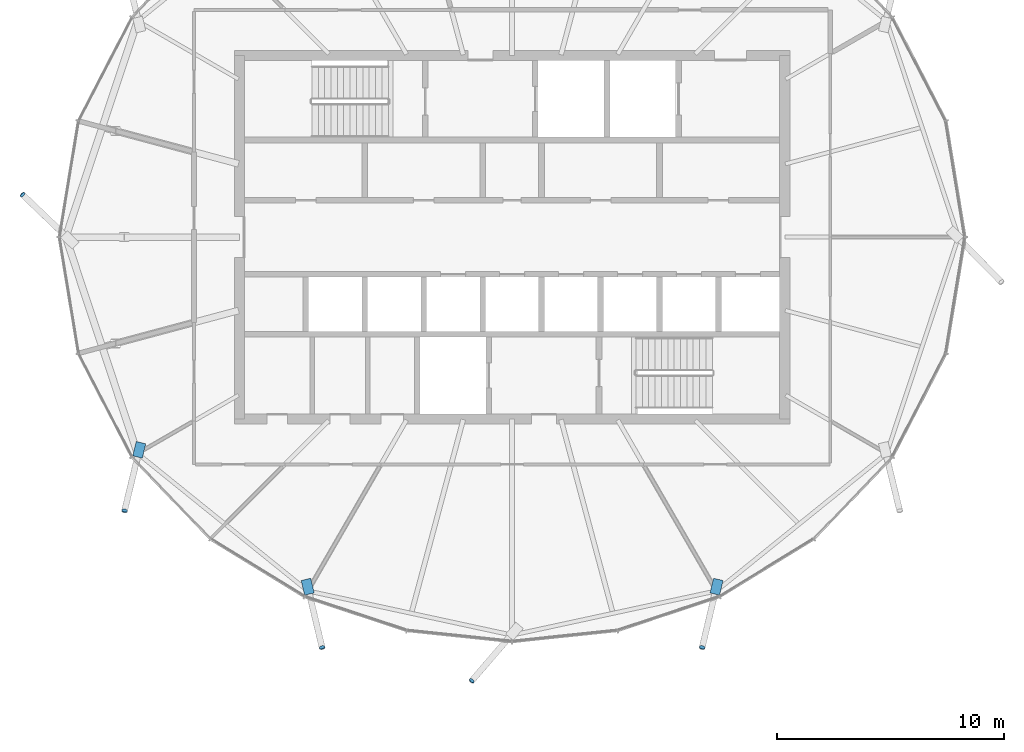
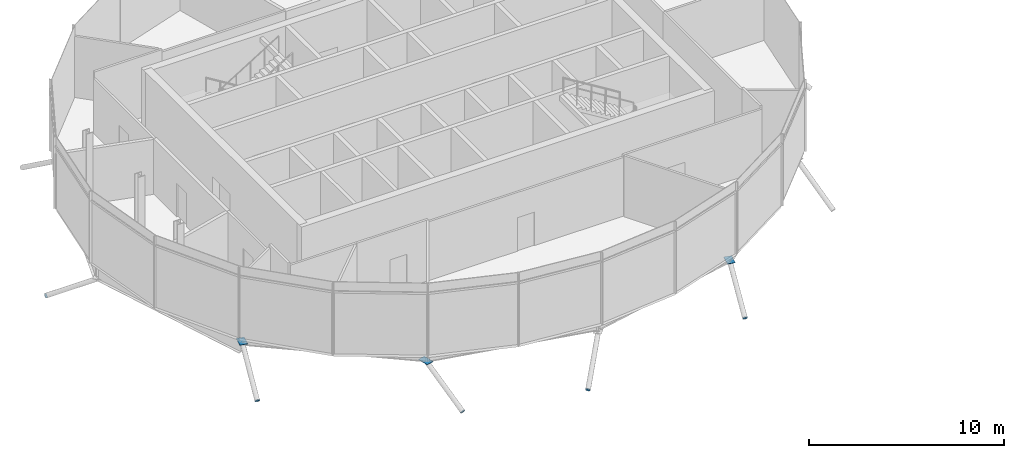
# One storey, part 22 of 31: 8 discrete accessories.
"""IFC4 building model written with IfcOpenShell, lengths in metres."""

from ifc_helpers import new_model, si_unit, direction, frame, origin, origin_2d, place, context, subcontext, project, spatial, polyline, rectangle, circle, outline, extrude, material, material_profile, profile_set, type_object, element, save


model = new_model("IFC4")

# Units and contexts
model_context = context("Model", 3, precision=1e-05, world=origin(), true_north=direction((0.0, 1.0)))
body_context = subcontext(model_context, "Body", "Model", "MODEL_VIEW")
ifc_project = project(units=[si_unit("LENGTHUNIT", "METRE"), si_unit("AREAUNIT", "SQUARE_METRE"), si_unit("VOLUMEUNIT", "CUBIC_METRE"), si_unit("PLANEANGLEUNIT", "RADIAN"), si_unit("MASSUNIT", "GRAM", prefix="KILO")], contexts=[model_context])

# Site, building, storey
site_placement = place(None, origin())
site = spatial("IfcSite", under=ifc_project, at=site_placement, CompositionType="ELEMENT")
building_placement = place(site_placement, origin())
building = spatial("IfcBuilding", under=site, at=building_placement, Name="Rimbun Link Towers", CompositionType="ELEMENT")
storey_placement = place(building_placement, frame((0.0, 0.0, 263.10009765625)))
storey = spatial("IfcBuildingStorey", under=building, at=storey_placement, Name="L64", CompositionType="ELEMENT", Elevation=263.10009765625)

# Discrete accessories
ifc_material_1 = material(Name="Steel S355J2H", Category="steel")
ifc_material_profile_1 = material_profile(ifc_material_1, circle(Radius=0.1240234375, at=origin_2d()), Name="PL D248")
ifc_profile_set_1 = profile_set([ifc_material_profile_1], Name="Steel S355J2H")
discrete_accessory_type_1 = type_object("IfcDiscreteAccessoryType", Name="Link foot sealing plate D248X20", PredefinedType="BRACKET", material=ifc_profile_set_1)
for number, where, z_axis, x_axis, name in (
    (1, (-53.288818359375, 1.8671875, -2.646728515625), (-0.63040723846, 0.606160806211, -0.484928644969), (-0.693108716252, -0.720833064902, 0.0), "Link foot sealing plate T1 L64 12"),
    (2, (-48.803955078125, -12.027587890625, -2.34521484375), (-0.195063939638, -0.804638751005, -0.560808826458), (0.971850105689, -0.235600025622, 0.0), "Link foot sealing plate T1 L64 14"),
    (3, (-40.115966796875, -18.04833984375, -2.4248046875), (0.19445792549, -0.814292562989, -0.54691291544), (0.972650231109, 0.232274682056, 0.0), "Link foot sealing plate T1 L64 16"),
    (4, (-33.52001953125, -19.517333984375, -2.4755859375), (-0.557996078219, -0.655038874431, -0.509474680113), (0.761243230487, -0.6484664556, 0.0), "Link foot sealing plate T1 L64 18"),
    (5, (-23.384033203125, -18.04833984375, -2.4248046875), (-0.19445792549, -0.814292562989, -0.54691291544), (0.972650231109, -0.232274682056, 0.0), "Link foot sealing plate T1 L64 20"),
):
    element("IfcDiscreteAccessory", number, at=place(storey_placement, frame(where, z_axis=z_axis, x_axis=x_axis)), inside=storey, type_object=discrete_accessory_type_1, Name=name, PredefinedType="BRACKET", context=body_context, shape_type="SweptSolid", body=[
        extrude(circle(Radius=0.1240234375, at=origin_2d()), origin(), (0.0, 0.0, 1.0), 0.02001953125),
    ])
ifc_material_2 = material(Name="Steel S355J2H", Category="steel")
ifc_material_profile_2 = material_profile(ifc_material_2, rectangle(XDim=0.43310546875, YDim=0.43310546875, at=origin_2d()), Name="PL 433x433")
ifc_profile_set_2 = profile_set([ifc_material_profile_2], Name="Steel S355J2H")
discrete_accessory_type_2 = type_object("IfcDiscreteAccessoryType", Name="Link head end plate 433X20", PredefinedType="BRACKET", material=ifc_profile_set_2)
discrete_accessory_1_placement = place(storey_placement, frame((0.0, 0.0, -0.50341796875)))
element("IfcDiscreteAccessory", 6, at=discrete_accessory_1_placement, inside=storey, type_object=discrete_accessory_type_2, Name="Link head end plate T1 L64 14", PredefinedType="BRACKET", context=body_context, shape_type="SweptSolid", body=[
    extrude(outline(polyline([(-48.29248046875, -8.989990234375), (-48.4453125, -9.622314453125), (-48.0244140625, -9.723876953125), (-47.87158203125, -9.091796875), (-48.29248046875, -8.989990234375)])), origin(), (0.0, 0.0, 1.0), 0.02001953125),
])
discrete_accessory_2_placement = place(storey_placement, frame((0.0, 0.0, -0.653564453125)))
element("IfcDiscreteAccessory", 7, at=discrete_accessory_2_placement, inside=storey, type_object=discrete_accessory_type_2, Name="Link head end plate T1 L64 16", PredefinedType="BRACKET", context=body_context, shape_type="SweptSolid", body=[
    extrude(outline(polyline([(-41.034423828125, -15.11083984375), (-40.881591796875, -15.755615234375), (-40.460205078125, -15.65576171875), (-40.613037109375, -15.010986328125), (-41.034423828125, -15.11083984375)])), origin(), (0.0, 0.0, 1.0), 0.02001953125),
])
discrete_accessory_3_placement = place(storey_placement, frame((0.0, 0.0, -0.653564453125)))
element("IfcDiscreteAccessory", 8, at=discrete_accessory_3_placement, inside=storey, type_object=discrete_accessory_type_2, Name="Link head end plate T1 L64 20", PredefinedType="BRACKET", context=body_context, shape_type="SweptSolid", body=[
    extrude(outline(polyline([(-22.886962890625, -15.010986328125), (-23.039794921875, -15.65576171875), (-22.618408203125, -15.755615234375), (-22.465576171875, -15.11083984375), (-22.886962890625, -15.010986328125)])), origin(), (0.0, 0.0, 1.0), 0.02001953125),
])

save(model, "model.ifc")
